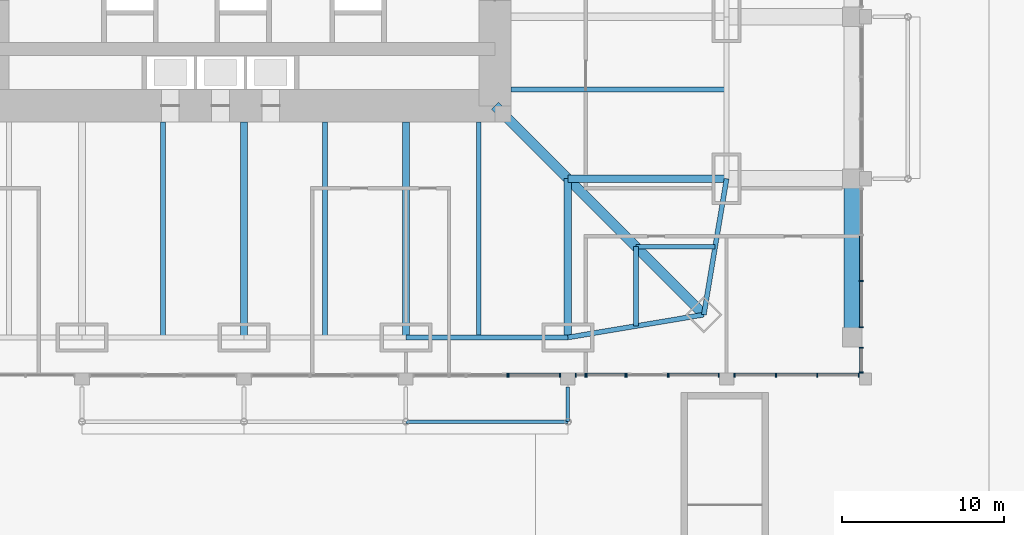
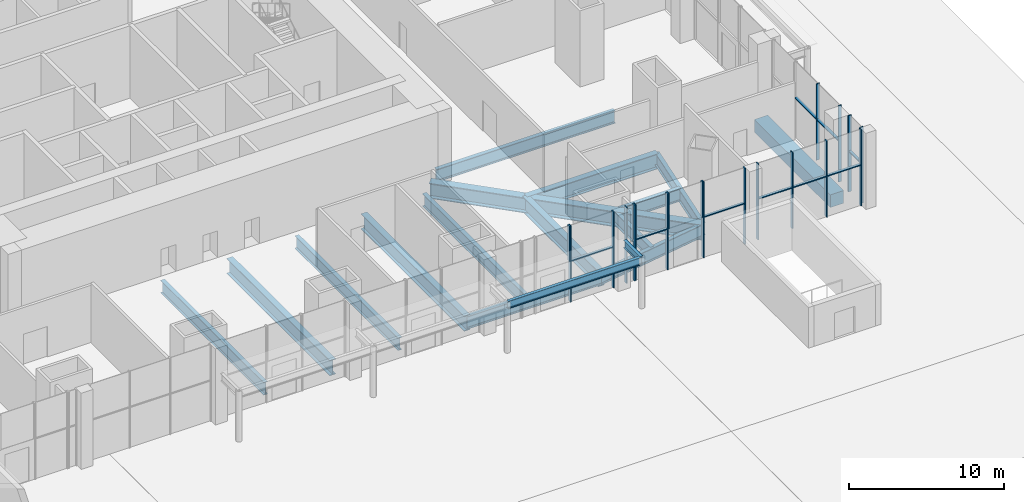
# One storey, part 9 of 31: 28 members, 17 beams, 9 elements without a shape of their own.
"""IFC4 building model written with IfcOpenShell, lengths in metres."""

from ifc_helpers import new_model, si_unit, direction, frame, origin, origin_2d, place, context, subcontext, project, spatial, rectangle, i_section, extrude, material, material_profile, profile_set, type_object, element, aggregate, save


model = new_model("IFC4")

# Units and contexts
model_context = context("Model", 3, precision=1e-05, world=origin(), true_north=direction((0.0, 1.0)))
body_context = subcontext(model_context, "Body", "Model", "MODEL_VIEW")
ifc_project = project(units=[si_unit("LENGTHUNIT", "METRE"), si_unit("AREAUNIT", "SQUARE_METRE"), si_unit("VOLUMEUNIT", "CUBIC_METRE"), si_unit("PLANEANGLEUNIT", "RADIAN"), si_unit("MASSUNIT", "GRAM", prefix="KILO")], contexts=[model_context])

# Site, building, storey
site_placement = place(None, origin())
site = spatial("IfcSite", under=ifc_project, at=site_placement, CompositionType="ELEMENT")
building_placement = place(site_placement, origin())
building = spatial("IfcBuilding", under=site, at=building_placement, Name="Khuree Lantern Residences", CompositionType="ELEMENT")
storey_placement = place(building_placement, origin())
storey = spatial("IfcBuildingStorey", under=building, at=storey_placement, Name="L00", CompositionType="ELEMENT", Elevation=0.0)

# Beams
ifc_material_1 = material(Name="Steel S355", Category="steel")
ifc_material_profile_1 = material_profile(ifc_material_1, i_section(OverallWidth=0.300048828125, OverallDepth=1.0, WebThickness=0.01904296875, FlangeThickness=0.035888671875, FilletRadius=0.030029296875, at=origin_2d()), Name="HE 1000 B")
ifc_profile_set_1 = profile_set([ifc_material_profile_1], Name="Steel S355")
beam_type_1 = type_object("IfcBeamType", Name="B-00 SECONDARY BEAM HE 1000 B", PredefinedType="BEAM", material=ifc_profile_set_1)
beam_1_placement = place(storey_placement, frame((29.800048828125, -14.5, -0.800048828125), z_axis=(-1.0, 0.0, 0.0), x_axis=(0.0, -1.0, 0.0)))
element("IfcBeam", 1, at=beam_1_placement, inside=storey, type_object=beam_type_1, Name="Secondary beam E5", PredefinedType="BEAM", context=body_context, shape_type="SweptSolid", body=[
    extrude(i_section(OverallWidth=0.300048828125, OverallDepth=1.0, WebThickness=0.01904296875, FlangeThickness=0.035888671875, FilletRadius=0.030029296875, at=origin_2d()), origin(), (0.0, 0.0, 1.0), 13.300048828125),
])
for number, where, z_axis, x_axis, name in (
    (2, (29.09716796875, -24.197021484375, -0.800048828125), (-1.0, 0.0, 0.0), (0.0, -1.0, 0.0), "Secondary beam E6"),
    (3, (24.197021484375, -29.09716796875, -0.800048828125), (0.0, 1.0, 0.0), (-1.0, 0.0, 0.0), "Secondary beam S1"),
):
    element("IfcBeam", number, at=place(storey_placement, frame(where, z_axis=z_axis, x_axis=x_axis)), inside=storey, type_object=beam_type_1, Name=name, PredefinedType="BEAM", context=body_context, shape_type="SweptSolid", body=[
        extrude(i_section(OverallWidth=0.300048828125, OverallDepth=1.0, WebThickness=0.01904296875, FlangeThickness=0.035888671875, FilletRadius=0.030029296875, at=origin_2d()), origin(), (0.0, 0.0, 1.0), 4.900146484375),
    ])
for number, where, z_axis, x_axis, name in (
    (4, (14.5, -29.800048828125, -0.800048828125), (0.0, 1.0, 0.0), (-1.0, 0.0, 0.0), "Secondary beam S2"),
    (5, (5.0, -29.800048828125, -0.800048828125), (0.0, 1.0, 0.0), (-1.0, 0.0, 0.0), "Secondary beam S3"),
    (6, (-5.0, -29.800048828125, -0.800048828125), (0.0, 1.0, 0.0), (-1.0, 0.0, 0.0), "Secondary beam S4"),
):
    element("IfcBeam", number, at=place(storey_placement, frame(where, z_axis=z_axis, x_axis=x_axis)), inside=storey, type_object=beam_type_1, Name=name, PredefinedType="BEAM", context=body_context, shape_type="SweptSolid", body=[
        extrude(i_section(OverallWidth=0.300048828125, OverallDepth=1.0, WebThickness=0.01904296875, FlangeThickness=0.035888671875, FilletRadius=0.030029296875, at=origin_2d()), origin(), (0.0, 0.0, 1.0), 13.300048828125),
    ])
ifc_material_profile_2 = material_profile(ifc_material_1, i_section(OverallWidth=0.219970703125, OverallDepth=0.60009765625, WebThickness=0.011962890625, FlangeThickness=0.01904296875, FilletRadius=0.02392578125, at=origin_2d()), Name="IPE 600")
ifc_profile_set_2 = profile_set([ifc_material_profile_2], Name="Steel S355")
beam_type_2 = type_object("IfcBeamType", Name="CB1 CANOPY BEAM IPE 600", PredefinedType="BEAM", material=ifc_profile_set_2)
beam_2_placement = place(storey_placement, frame((20.0, -35.0, 3.699951171875), z_axis=(0.0, 1.0, 0.0), x_axis=(-1.0, 0.0, 0.0)))
element("IfcBeam", 7, at=beam_2_placement, inside=storey, type_object=beam_type_2, Name="SOUTH FACE CANOPY ARM 4", PredefinedType="BEAM", context=body_context, shape_type="SweptSolid", body=[
    extrude(i_section(OverallWidth=0.219970703125, OverallDepth=0.60009765625, WebThickness=0.011962890625, FlangeThickness=0.01904296875, FilletRadius=0.02392578125, at=origin_2d()), origin(), (0.0, 0.0, 1.0), 2.14990234375),
])
beam_3_placement = place(storey_placement, frame((10.0, -35.0, 3.699951171875), z_axis=(1.0, 0.0, 0.0), x_axis=(0.0, 1.0, 0.0)))
element("IfcBeam", 8, at=beam_3_placement, inside=storey, type_object=beam_type_2, Name="SOUTH FACE BAY 6 CANOPY FRONT BEAM", PredefinedType="BEAM", context=body_context, shape_type="SweptSolid", body=[
    extrude(i_section(OverallWidth=0.219970703125, OverallDepth=0.60009765625, WebThickness=0.011962890625, FlangeThickness=0.01904296875, FilletRadius=0.02392578125, at=origin_2d()), origin(), (0.0, 0.0, 1.0), 10.0),
])
ifc_material_profile_3 = material_profile(ifc_material_1, i_section(OverallWidth=0.300048828125, OverallDepth=1.0, WebThickness=0.01904296875, FlangeThickness=0.035888671875, FilletRadius=0.030029296875, at=origin_2d()), Name="HE 1000 B")
ifc_profile_set_3 = profile_set([ifc_material_profile_3], Name="Steel S355")
beam_type_3 = type_object("IfcBeamType", Name="E-00 SPANDREL BEAM HE 1000 B", PredefinedType="SPANDREL", material=ifc_profile_set_3)
for number, where, z_axis, x_axis, name in (
    (9, (29.800048828125, -20.0, -0.800048828125), (-0.165199022349, -0.986260251158, 0.0), (0.986260251158, -0.165199022349, 0.0), "Spandrel beam E6"),
    (10, (28.39404296875, -28.39404296875, -0.800048828125), (-0.986260251158, -0.165199022349, 0.0), (0.165199022349, -0.986260251158, 0.0), "Spandrel beam S1"),
):
    element("IfcBeam", number, at=place(storey_placement, frame(where, z_axis=z_axis, x_axis=x_axis)), inside=storey, type_object=beam_type_3, Name=name, PredefinedType="SPANDREL", context=body_context, shape_type="SweptSolid", body=[
        extrude(i_section(OverallWidth=0.300048828125, OverallDepth=1.0, WebThickness=0.01904296875, FlangeThickness=0.035888671875, FilletRadius=0.030029296875, at=origin_2d()), origin(), (0.0, 0.0, 1.0), 8.510986328125),
    ])
beam_4_placement = place(storey_placement, frame((20.0, -29.800048828125, -0.800048828125), z_axis=(-1.0, 0.0, 0.0), x_axis=(0.0, -1.0, 0.0)))
element("IfcBeam", 11, at=beam_4_placement, inside=storey, type_object=beam_type_3, Name="Spandrel beam S2", PredefinedType="SPANDREL", context=body_context, shape_type="SweptSolid", body=[
    extrude(i_section(OverallWidth=0.300048828125, OverallDepth=1.0, WebThickness=0.01904296875, FlangeThickness=0.035888671875, FilletRadius=0.030029296875, at=origin_2d()), origin(), (0.0, 0.0, 1.0), 10.0),
])
ifc_material_profile_4 = material_profile(ifc_material_1, i_section(OverallWidth=0.449951171875, OverallDepth=1.199951171875, WebThickness=0.02490234375, FlangeThickness=0.044921875, at=origin_2d()), Name="WELDED I 1200X450X25X45")
ifc_profile_set_4 = profile_set([ifc_material_profile_4], Name="Steel S355")
beam_type_4 = type_object("IfcBeamType", Name="G-00 GIRDER WELDED I 1200X450X25X45", PredefinedType="BEAM", material=ifc_profile_set_4)
for number, where, z_axis, x_axis, name in (
    (12, (29.800048828125, -20.0, -0.89990234375), (-1.0, 0.0, 0.0), (0.0, -1.0, 0.0), "Girder E5"),
    (13, (20.0, -29.800048828125, -0.89990234375), (0.0, 1.0, 0.0), (-1.0, 0.0, 0.0), "Girder S1"),
):
    element("IfcBeam", number, at=place(storey_placement, frame(where, z_axis=z_axis, x_axis=x_axis)), inside=storey, type_object=beam_type_4, Name=name, PredefinedType="BEAM", context=body_context, shape_type="SweptSolid", body=[
        extrude(i_section(OverallWidth=0.449951171875, OverallDepth=1.199951171875, WebThickness=0.02490234375, FlangeThickness=0.044921875, at=origin_2d()), origin(), (0.0, 0.0, 1.0), 9.800048828125),
    ])
for number, where, z_axis, x_axis, name in (
    (14, (10.0, -29.800048828125, -0.89990234375), (0.0, 1.0, 0.0), (-1.0, 0.0, 0.0), "Girder S2"),
    (15, (0.0, -29.800048828125, -0.89990234375), (0.0, 1.0, 0.0), (-1.0, 0.0, 0.0), "Girder S3"),
):
    element("IfcBeam", number, at=place(storey_placement, frame(where, z_axis=z_axis, x_axis=x_axis)), inside=storey, type_object=beam_type_4, Name=name, PredefinedType="BEAM", context=body_context, shape_type="SweptSolid", body=[
        extrude(i_section(OverallWidth=0.449951171875, OverallDepth=1.199951171875, WebThickness=0.02490234375, FlangeThickness=0.044921875, at=origin_2d()), origin(), (0.0, 0.0, 1.0), 13.300048828125),
    ])
ifc_material_profile_5 = material_profile(ifc_material_1, i_section(OverallWidth=0.60009765625, OverallDepth=1.199951171875, WebThickness=0.030029296875, FlangeThickness=0.06005859375, at=origin_2d()), Name="WELDED I 1200X600X30X60")
ifc_profile_set_5 = profile_set([ifc_material_profile_5], Name="Steel S355")
beam_type_5 = type_object("IfcBeamType", Name="GD-00 CORNER GIRDER WELDED I 1200X600X30X60", PredefinedType="BEAM", material=ifc_profile_set_5)
beam_5_placement = place(storey_placement, frame((28.39404296875, -28.39404296875, -0.89990234375), z_axis=(-0.707106781187, 0.707106781187, 0.0), x_axis=(-0.707106781187, -0.707106781187, 0.0)))
element("IfcBeam", 16, at=beam_5_placement, inside=storey, type_object=beam_type_5, Name="Corner girder SE", PredefinedType="BEAM", context=body_context, shape_type="SweptSolid", body=[
    extrude(i_section(OverallWidth=0.60009765625, OverallDepth=1.199951171875, WebThickness=0.030029296875, FlangeThickness=0.06005859375, at=origin_2d()), origin(), (0.0, 0.0, 1.0), 18.23486328125),
])

# Curtain wall, members
ifc_material_2 = material(Name="Bronze anodised aluminium", Category="aluminium")
curtain_wall_type = type_object("IfcCurtainWallType", Name="CW-P PODIUM STOREFRONT CURTAIN WALL", PredefinedType="USERDEFINED", material=ifc_material_2)
curtain_wall_1_placement = place(storey_placement, origin())
curtain_wall_1 = element("IfcCurtainWall", 17, at=curtain_wall_1_placement, inside=storey, type_object=curtain_wall_type, Name="L00 SOUTH FACE BAY 6 RIGHT STOREFRONT", ObjectType="Storefront curtain wall", PredefinedType="USERDEFINED")
ifc_material_profile_6 = material_profile(ifc_material_2, rectangle(XDim=0.074951171875, YDim=0.25, at=origin_2d()), Name="M5 75X250")
ifc_profile_set_6 = profile_set([ifc_material_profile_6], Name="Bronze anodised aluminium")
member_type_1 = type_object("IfcMemberType", Name="MULLION M5 STOREFRONT 75X250", PredefinedType="MULLION", material=ifc_profile_set_6)
member_1_placement = place(storey_placement, frame((16.33740234375, -32.125, 0.0), z_axis=(0.0, 0.0, 1.0), x_axis=(1.0, 0.0, 0.0)))
member_1 = element("IfcMember", 18, at=member_1_placement, type_object=member_type_1, Name="L00 SOUTH FACE BAY 6 RIGHT MULLION 1", PredefinedType="MULLION", context=body_context, shape_type="SweptSolid", body=[
    extrude(rectangle(XDim=0.074951171875, YDim=0.25, at=origin_2d()), origin(), (0.0, 0.0, 1.0), 6.0),
])
member_2_placement = place(storey_placement, frame((19.512451171875, -32.125, 0.0), z_axis=(0.0, 0.0, 1.0), x_axis=(1.0, 0.0, 0.0)))
member_2 = element("IfcMember", 19, at=member_2_placement, type_object=member_type_1, Name="L00 SOUTH FACE BAY 6 RIGHT MULLION 2", PredefinedType="MULLION", context=body_context, shape_type="SweptSolid", body=[
    extrude(rectangle(XDim=0.074951171875, YDim=0.25, at=origin_2d()), origin(), (0.0, 0.0, 1.0), 6.0),
])

# Curtain wall, member
curtain_wall_2_placement = place(storey_placement, origin())
curtain_wall_2 = element("IfcCurtainWall", 20, at=curtain_wall_2_placement, inside=storey, type_object=curtain_wall_type, Name="L00 SOUTH FACE BAY 6 CLERESTORY STOREFRONT", ObjectType="Storefront curtain wall", PredefinedType="USERDEFINED")
member_3_placement = place(storey_placement, frame((16.262451171875, -32.125, 3.199951171875), z_axis=(0.0, 0.0, 1.0), x_axis=(1.0, 0.0, 0.0)))
member_3 = element("IfcMember", 21, at=member_3_placement, type_object=member_type_1, Name="L00 SOUTH FACE BAY 6 CLERESTORY MULLION 2", PredefinedType="MULLION", context=body_context, shape_type="SweptSolid", body=[
    extrude(rectangle(XDim=0.074951171875, YDim=0.25, at=origin_2d()), origin(), (0.0, 0.0, 1.0), 2.800048828125),
])
aggregate(curtain_wall_2, [member_3])

# Curtain wall, members
curtain_wall_3_placement = place(storey_placement, origin())
curtain_wall_3 = element("IfcCurtainWall", 22, at=curtain_wall_3_placement, inside=storey, type_object=curtain_wall_type, Name="L00 SOUTH FACE BAY 7 LEFT 1 STOREFRONT", ObjectType="Storefront curtain wall", PredefinedType="USERDEFINED")
member_4_placement = place(storey_placement, frame((20.487548828125, -32.125, 0.0), z_axis=(0.0, 0.0, 1.0), x_axis=(1.0, 0.0, 0.0)))
member_4 = element("IfcMember", 23, at=member_4_placement, type_object=member_type_1, Name="L00 SOUTH FACE BAY 7 LEFT 1 MULLION 1", PredefinedType="MULLION", context=body_context, shape_type="SweptSolid", body=[
    extrude(rectangle(XDim=0.074951171875, YDim=0.25, at=origin_2d()), origin(), (0.0, 0.0, 1.0), 6.0),
])
member_5_placement = place(storey_placement, frame((21.07373046875, -32.125, 0.0), z_axis=(0.0, 0.0, 1.0), x_axis=(1.0, 0.0, 0.0)))
member_5 = element("IfcMember", 24, at=member_5_placement, type_object=member_type_1, Name="L00 SOUTH FACE BAY 7 LEFT 1 MULLION 2", PredefinedType="MULLION", context=body_context, shape_type="SweptSolid", body=[
    extrude(rectangle(XDim=0.074951171875, YDim=0.25, at=origin_2d()), origin(), (0.0, 0.0, 1.0), 6.0),
])
aggregate(curtain_wall_3, [member_4, member_5])

curtain_wall_4_placement = place(storey_placement, origin())
curtain_wall_4 = element("IfcCurtainWall", 25, at=curtain_wall_4_placement, inside=storey, type_object=curtain_wall_type, Name="L00 SOUTH FACE BAY 7 LEFT 2 STOREFRONT", ObjectType="Storefront curtain wall", PredefinedType="USERDEFINED")
member_6_placement = place(storey_placement, frame((21.148681640625, -32.125, 0.0), z_axis=(0.0, 0.0, 1.0), x_axis=(1.0, 0.0, 0.0)))
member_6 = element("IfcMember", 26, at=member_6_placement, type_object=member_type_1, Name="L00 SOUTH FACE BAY 7 LEFT 2 MULLION 1", PredefinedType="MULLION", context=body_context, shape_type="SweptSolid", body=[
    extrude(rectangle(XDim=0.074951171875, YDim=0.25, at=origin_2d()), origin(), (0.0, 0.0, 1.0), 6.0),
])
member_7_placement = place(storey_placement, frame((23.5625, -32.125, 0.0), z_axis=(0.0, 0.0, 1.0), x_axis=(1.0, 0.0, 0.0)))
member_7 = element("IfcMember", 27, at=member_7_placement, type_object=member_type_1, Name="L00 SOUTH FACE BAY 7 LEFT 2 MULLION 2", PredefinedType="MULLION", context=body_context, shape_type="SweptSolid", body=[
    extrude(rectangle(XDim=0.074951171875, YDim=0.25, at=origin_2d()), origin(), (0.0, 0.0, 1.0), 6.0),
])

curtain_wall_5_placement = place(storey_placement, origin())
curtain_wall_5 = element("IfcCurtainWall", 28, at=curtain_wall_5_placement, inside=storey, type_object=curtain_wall_type, Name="L00 SOUTH FACE BAY 7 RIGHT STOREFRONT", ObjectType="Storefront curtain wall", PredefinedType="USERDEFINED")
member_8_placement = place(storey_placement, frame((26.237548828125, -32.125, 0.0), z_axis=(0.0, 0.0, 1.0), x_axis=(1.0, 0.0, 0.0)))
member_8 = element("IfcMember", 29, at=member_8_placement, type_object=member_type_1, Name="L00 SOUTH FACE BAY 7 RIGHT MULLION 1", PredefinedType="MULLION", context=body_context, shape_type="SweptSolid", body=[
    extrude(rectangle(XDim=0.074951171875, YDim=0.25, at=origin_2d()), origin(), (0.0, 0.0, 1.0), 6.0),
])
member_9_placement = place(storey_placement, frame((29.3125, -32.125, 0.0), z_axis=(0.0, 0.0, 1.0), x_axis=(1.0, 0.0, 0.0)))
member_9 = element("IfcMember", 30, at=member_9_placement, type_object=member_type_1, Name="L00 SOUTH FACE BAY 7 RIGHT MULLION 2", PredefinedType="MULLION", context=body_context, shape_type="SweptSolid", body=[
    extrude(rectangle(XDim=0.074951171875, YDim=0.25, at=origin_2d()), origin(), (0.0, 0.0, 1.0), 6.0),
])

curtain_wall_6_placement = place(storey_placement, origin())
curtain_wall_6 = element("IfcCurtainWall", 31, at=curtain_wall_6_placement, inside=storey, type_object=curtain_wall_type, Name="L00 SOUTH FACE BAY 7 CLERESTORY STOREFRONT", ObjectType="Storefront curtain wall", PredefinedType="USERDEFINED")
member_10_placement = place(storey_placement, frame((23.637451171875, -32.125, 3.199951171875), z_axis=(0.0, 0.0, 1.0), x_axis=(1.0, 0.0, 0.0)))
member_10 = element("IfcMember", 32, at=member_10_placement, type_object=member_type_1, Name="L00 SOUTH FACE BAY 7 CLERESTORY MULLION 1", PredefinedType="MULLION", context=body_context, shape_type="SweptSolid", body=[
    extrude(rectangle(XDim=0.074951171875, YDim=0.25, at=origin_2d()), origin(), (0.0, 0.0, 1.0), 2.800048828125),
])
member_11_placement = place(storey_placement, frame((26.16259765625, -32.125, 3.199951171875), z_axis=(0.0, 0.0, 1.0), x_axis=(1.0, 0.0, 0.0)))
member_11 = element("IfcMember", 33, at=member_11_placement, type_object=member_type_1, Name="L00 SOUTH FACE BAY 7 CLERESTORY MULLION 2", PredefinedType="MULLION", context=body_context, shape_type="SweptSolid", body=[
    extrude(rectangle(XDim=0.074951171875, YDim=0.25, at=origin_2d()), origin(), (0.0, 0.0, 1.0), 2.800048828125),
])
aggregate(curtain_wall_6, [member_10, member_11])

curtain_wall_7_placement = place(storey_placement, origin())
curtain_wall_7 = element("IfcCurtainWall", 34, at=curtain_wall_7_placement, inside=storey, type_object=curtain_wall_type, Name="L00 SOUTH FACE BAY 8 STOREFRONT", ObjectType="Storefront curtain wall", PredefinedType="USERDEFINED")
member_12_placement = place(storey_placement, frame((30.28759765625, -32.125, 0.0), z_axis=(0.0, 0.0, 1.0), x_axis=(1.0, 0.0, 0.0)))
member_12 = element("IfcMember", 35, at=member_12_placement, type_object=member_type_1, Name="L00 SOUTH FACE BAY 8 MULLION 1", PredefinedType="MULLION", context=body_context, shape_type="SweptSolid", body=[
    extrude(rectangle(XDim=0.074951171875, YDim=0.25, at=origin_2d()), origin(), (0.0, 0.0, 1.0), 6.0),
])
member_13_placement = place(storey_placement, frame((32.845947265625, -32.125, 0.0), z_axis=(0.0, 0.0, 1.0), x_axis=(1.0, 0.0, 0.0)))
member_13 = element("IfcMember", 36, at=member_13_placement, type_object=member_type_1, Name="L00 SOUTH FACE BAY 8 MULLION 2", PredefinedType="MULLION", context=body_context, shape_type="SweptSolid", body=[
    extrude(rectangle(XDim=0.074951171875, YDim=0.25, at=origin_2d()), origin(), (0.0, 0.0, 1.0), 6.0),
])
member_14_placement = place(storey_placement, frame((35.404052734375, -32.125, 0.0), z_axis=(0.0, 0.0, 1.0), x_axis=(1.0, 0.0, 0.0)))
member_14 = element("IfcMember", 37, at=member_14_placement, type_object=member_type_1, Name="L00 SOUTH FACE BAY 8 MULLION 3", PredefinedType="MULLION", context=body_context, shape_type="SweptSolid", body=[
    extrude(rectangle(XDim=0.074951171875, YDim=0.25, at=origin_2d()), origin(), (0.0, 0.0, 1.0), 6.0),
])
member_15_placement = place(storey_placement, frame((37.96240234375, -32.125, 0.0), z_axis=(0.0, 0.0, 1.0), x_axis=(1.0, 0.0, 0.0)))
member_15 = element("IfcMember", 38, at=member_15_placement, type_object=member_type_1, Name="L00 SOUTH FACE BAY 8 MULLION 4", PredefinedType="MULLION", context=body_context, shape_type="SweptSolid", body=[
    extrude(rectangle(XDim=0.074951171875, YDim=0.25, at=origin_2d()), origin(), (0.0, 0.0, 1.0), 6.0),
])

curtain_wall_8_placement = place(storey_placement, origin())
curtain_wall_8 = element("IfcCurtainWall", 39, at=curtain_wall_8_placement, inside=storey, type_object=curtain_wall_type, Name="L00 EAST FACE BAY 1 STOREFRONT", ObjectType="Storefront curtain wall", PredefinedType="USERDEFINED")
member_16_placement = place(storey_placement, frame((38.125, -31.96240234375, 0.0), z_axis=(0.0, 0.0, 1.0), x_axis=(0.0, 1.0, 0.0)))
member_16 = element("IfcMember", 40, at=member_16_placement, type_object=member_type_1, Name="L00 EAST FACE BAY 1 MULLION 1", PredefinedType="MULLION", context=body_context, shape_type="SweptSolid", body=[
    extrude(rectangle(XDim=0.074951171875, YDim=0.25, at=origin_2d()), origin(), (0.0, 0.0, 1.0), 6.0),
])
member_17_placement = place(storey_placement, frame((38.125, -30.4375, 0.0), z_axis=(0.0, 0.0, 1.0), x_axis=(0.0, 1.0, 0.0)))
member_17 = element("IfcMember", 41, at=member_17_placement, type_object=member_type_1, Name="L00 EAST FACE BAY 1 MULLION 2", PredefinedType="MULLION", context=body_context, shape_type="SweptSolid", body=[
    extrude(rectangle(XDim=0.074951171875, YDim=0.25, at=origin_2d()), origin(), (0.0, 0.0, 1.0), 6.0),
])

curtain_wall_9_placement = place(storey_placement, origin())
curtain_wall_9 = element("IfcCurtainWall", 42, at=curtain_wall_9_placement, inside=storey, type_object=curtain_wall_type, Name="L00 EAST FACE BAY 1B STOREFRONT", ObjectType="Storefront curtain wall", PredefinedType="USERDEFINED")
member_18_placement = place(storey_placement, frame((38.125, -29.16259765625, 0.0), z_axis=(0.0, 0.0, 1.0), x_axis=(0.0, 1.0, 0.0)))
member_18 = element("IfcMember", 43, at=member_18_placement, type_object=member_type_1, Name="L00 EAST FACE BAY 1B MULLION 1", PredefinedType="MULLION", context=body_context, shape_type="SweptSolid", body=[
    extrude(rectangle(XDim=0.074951171875, YDim=0.25, at=origin_2d()), origin(), (0.0, 0.0, 1.0), 6.0),
])
member_19_placement = place(storey_placement, frame((38.125, -26.32080078125, 0.0), z_axis=(0.0, 0.0, 1.0), x_axis=(0.0, 1.0, 0.0)))
member_19 = element("IfcMember", 44, at=member_19_placement, type_object=member_type_1, Name="L00 EAST FACE BAY 1B MULLION 2", PredefinedType="MULLION", context=body_context, shape_type="SweptSolid", body=[
    extrude(rectangle(XDim=0.074951171875, YDim=0.25, at=origin_2d()), origin(), (0.0, 0.0, 1.0), 6.0),
])

# Beam
ifc_material_3 = material(Name="Concrete C40/50", Category="concrete")
ifc_material_profile_7 = material_profile(ifc_material_3, rectangle(XDim=1.0, YDim=1.0, at=origin_2d()), Name="RC 1000X1000")
ifc_profile_set_7 = profile_set([ifc_material_profile_7], Name="Concrete C40/50")
beam_type_6 = type_object("IfcBeamType", Name="RB3 PODIUM BEAM RC 1000X1000", PredefinedType="BEAM", material=ifc_profile_set_7)
beam_6_placement = place(storey_placement, frame((37.550048828125, -29.800048828125, -0.800048828125), z_axis=(0.0, 1.0, 0.0), x_axis=(-1.0, 0.0, 0.0)))
element("IfcBeam", 45, at=beam_6_placement, inside=storey, type_object=beam_type_6, Name="Podium beam RB-104", PredefinedType="BEAM", context=body_context, shape_type="SweptSolid", body=[
    extrude(rectangle(XDim=1.0, YDim=1.0, at=origin_2d()), origin(), (0.0, 0.0, 1.0), 9.800048828125),
])

# Member
ifc_material_profile_8 = material_profile(ifc_material_2, rectangle(XDim=0.199951171875, YDim=0.074951171875, at=origin_2d()), Name="T5 200X75")
ifc_profile_set_8 = profile_set([ifc_material_profile_8], Name="Bronze anodised aluminium")
member_type_2 = type_object("IfcMemberType", Name="TRANSOM T5 STOREFRONT 200X75", PredefinedType="USERDEFINED", material=ifc_profile_set_8)
member_20_placement = place(storey_placement, frame((16.375, -32.1201171875, 3.199951171875), z_axis=(1.0, 0.0, 0.0), x_axis=(0.0, 1.0, 0.0)))
member_20 = element("IfcMember", 46, at=member_20_placement, type_object=member_type_2, Name="L00 SOUTH FACE BAY 6 RIGHT TRANSOM 1", ObjectType="Transom", PredefinedType="USERDEFINED", context=body_context, shape_type="SweptSolid", body=[
    extrude(rectangle(XDim=0.199951171875, YDim=0.074951171875, at=origin_2d()), origin(), (0.0, 0.0, 1.0), 3.10009765625),
])

aggregate(curtain_wall_1, [member_1, member_2, member_20])

member_21_placement = place(storey_placement, frame((21.18603515625, -32.1201171875, 3.199951171875), z_axis=(1.0, 0.0, 0.0), x_axis=(0.0, 1.0, 0.0)))
member_21 = element("IfcMember", 47, at=member_21_placement, type_object=member_type_2, Name="L00 SOUTH FACE BAY 7 LEFT 2 TRANSOM 1", ObjectType="Transom", PredefinedType="USERDEFINED", context=body_context, shape_type="SweptSolid", body=[
    extrude(rectangle(XDim=0.199951171875, YDim=0.074951171875, at=origin_2d()), origin(), (0.0, 0.0, 1.0), 2.3388671875),
])

aggregate(curtain_wall_4, [member_6, member_7, member_21])

member_22_placement = place(storey_placement, frame((26.27490234375, -32.1201171875, 3.199951171875), z_axis=(1.0, 0.0, 0.0), x_axis=(0.0, 1.0, 0.0)))
member_22 = element("IfcMember", 48, at=member_22_placement, type_object=member_type_2, Name="L00 SOUTH FACE BAY 7 RIGHT TRANSOM 1", ObjectType="Transom", PredefinedType="USERDEFINED", context=body_context, shape_type="SweptSolid", body=[
    extrude(rectangle(XDim=0.199951171875, YDim=0.074951171875, at=origin_2d()), origin(), (0.0, 0.0, 1.0), 3.0),
])

aggregate(curtain_wall_5, [member_8, member_9, member_22])

member_23_placement = place(storey_placement, frame((30.324951171875, -32.1201171875, 3.199951171875), z_axis=(1.0, 0.0, 0.0), x_axis=(0.0, 1.0, 0.0)))
member_23 = element("IfcMember", 49, at=member_23_placement, type_object=member_type_2, Name="L00 SOUTH FACE BAY 8 TRANSOM 1", ObjectType="Transom", PredefinedType="USERDEFINED", context=body_context, shape_type="SweptSolid", body=[
    extrude(rectangle(XDim=0.199951171875, YDim=0.074951171875, at=origin_2d()), origin(), (0.0, 0.0, 1.0), 2.4833984375),
])

member_24_placement = place(storey_placement, frame((32.88330078125, -32.1201171875, 3.199951171875), z_axis=(1.0, 0.0, 0.0), x_axis=(0.0, 1.0, 0.0)))
member_24 = element("IfcMember", 50, at=member_24_placement, type_object=member_type_2, Name="L00 SOUTH FACE BAY 8 TRANSOM 2", ObjectType="Transom", PredefinedType="USERDEFINED", context=body_context, shape_type="SweptSolid", body=[
    extrude(rectangle(XDim=0.199951171875, YDim=0.074951171875, at=origin_2d()), origin(), (0.0, 0.0, 1.0), 2.4833984375),
])

member_25_placement = place(storey_placement, frame((35.441650390625, -32.1201171875, 3.199951171875), z_axis=(1.0, 0.0, 0.0), x_axis=(0.0, 1.0, 0.0)))
member_25 = element("IfcMember", 51, at=member_25_placement, type_object=member_type_2, Name="L00 SOUTH FACE BAY 8 TRANSOM 3", ObjectType="Transom", PredefinedType="USERDEFINED", context=body_context, shape_type="SweptSolid", body=[
    extrude(rectangle(XDim=0.199951171875, YDim=0.074951171875, at=origin_2d()), origin(), (0.0, 0.0, 1.0), 2.4833984375),
])

aggregate(curtain_wall_7, [member_12, member_13, member_14, member_15, member_23, member_24, member_25])

member_26_placement = place(storey_placement, frame((38.1201171875, -31.925048828125, 3.199951171875), z_axis=(0.0, 1.0, 0.0), x_axis=(-1.0, 0.0, 0.0)))
member_26 = element("IfcMember", 52, at=member_26_placement, type_object=member_type_2, Name="L00 EAST FACE BAY 1 TRANSOM 1", ObjectType="Transom", PredefinedType="USERDEFINED", context=body_context, shape_type="SweptSolid", body=[
    extrude(rectangle(XDim=0.199951171875, YDim=0.074951171875, at=origin_2d()), origin(), (0.0, 0.0, 1.0), 1.449951171875),
])

aggregate(curtain_wall_8, [member_16, member_17, member_26])

member_27_placement = place(storey_placement, frame((38.1201171875, -29.125, 3.199951171875), z_axis=(0.0, 1.0, 0.0), x_axis=(-1.0, 0.0, 0.0)))
member_27 = element("IfcMember", 53, at=member_27_placement, type_object=member_type_2, Name="L00 EAST FACE BAY 1B TRANSOM 1", ObjectType="Transom", PredefinedType="USERDEFINED", context=body_context, shape_type="SweptSolid", body=[
    extrude(rectangle(XDim=0.199951171875, YDim=0.074951171875, at=origin_2d()), origin(), (0.0, 0.0, 1.0), 2.7666015625),
])

member_28_placement = place(storey_placement, frame((38.1201171875, -26.283447265625, 3.199951171875), z_axis=(0.0, 1.0, 0.0), x_axis=(-1.0, 0.0, 0.0)))
member_28 = element("IfcMember", 54, at=member_28_placement, type_object=member_type_2, Name="L00 EAST FACE BAY 1B TRANSOM 2", ObjectType="Transom", PredefinedType="USERDEFINED", context=body_context, shape_type="SweptSolid", body=[
    extrude(rectangle(XDim=0.199951171875, YDim=0.074951171875, at=origin_2d()), origin(), (0.0, 0.0, 1.0), 2.766845703125),
])

aggregate(curtain_wall_9, [member_18, member_19, member_27, member_28])

save(model, "model.ifc")
